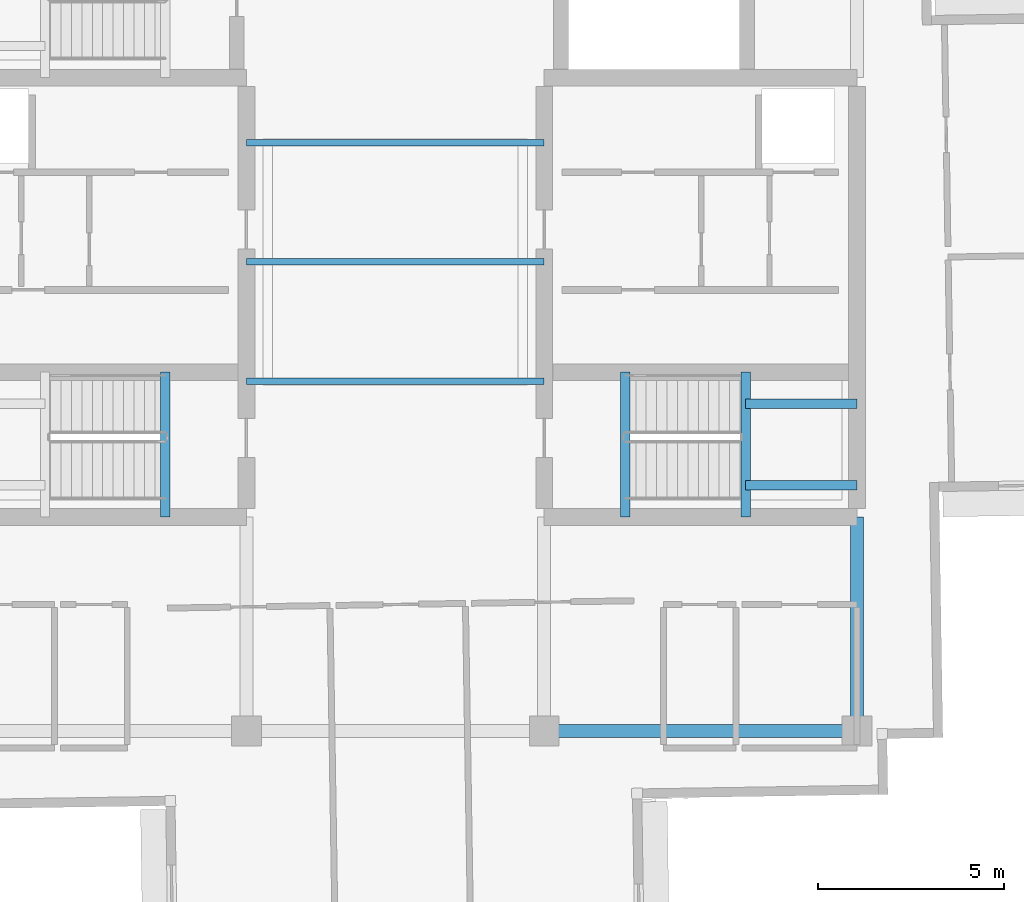
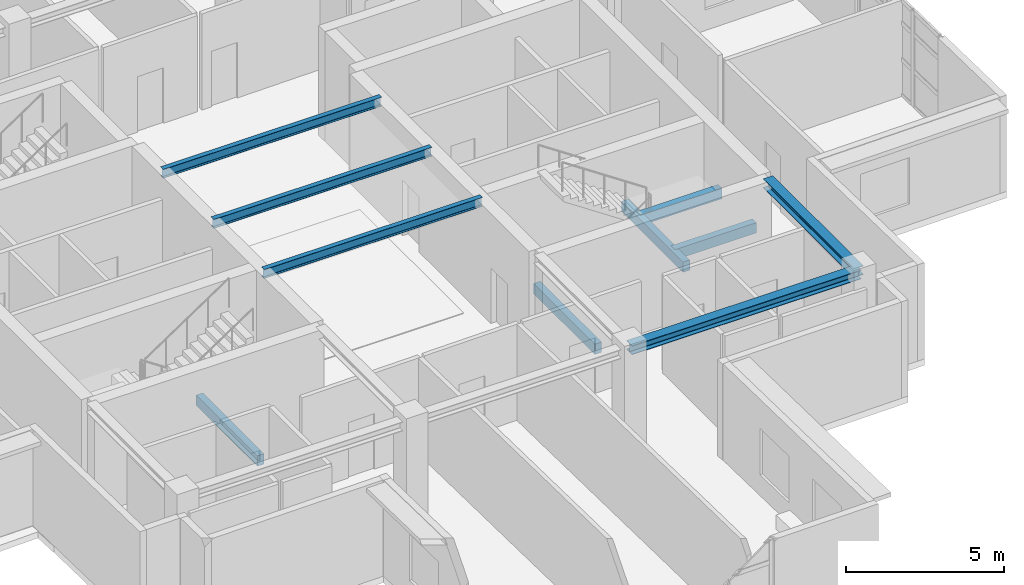
# One storey, part 5 of 18: 10 beams.
"""IFC4 building model written with IfcOpenShell, lengths in metres."""

from ifc_helpers import new_model, si_unit, direction, frame, origin, origin_2d, place, context, subcontext, project, spatial, rectangle, i_section, extrude, material, material_profile, profile_set, type_object, element, save


model = new_model("IFC4")

# Units and contexts
model_context = context("Model", 3, precision=1e-05, world=origin(), true_north=direction((0.0, 1.0)))
body_context = subcontext(model_context, "Body", "Model", "MODEL_VIEW")
ifc_project = project(units=[si_unit("LENGTHUNIT", "METRE"), si_unit("AREAUNIT", "SQUARE_METRE"), si_unit("VOLUMEUNIT", "CUBIC_METRE"), si_unit("PLANEANGLEUNIT", "RADIAN"), si_unit("MASSUNIT", "GRAM", prefix="KILO")], contexts=[model_context])

# Site, building, storey
site_placement = place(None, origin())
site = spatial("IfcSite", under=ifc_project, at=site_placement, CompositionType="ELEMENT")
building_placement = place(site_placement, origin())
building = spatial("IfcBuilding", under=site, at=building_placement, Name="Qingluan Cross Belvedere", CompositionType="ELEMENT")
storey_placement = place(building_placement, frame((0.0, 0.0, 303.89990234375)))
storey = spatial("IfcBuildingStorey", under=building, at=storey_placement, Name="L75", CompositionType="ELEMENT", Elevation=303.89990234375)

# Beams
ifc_material_1 = material(Name="Concrete C45", Category="concrete")
ifc_material_profile_1 = material_profile(ifc_material_1, rectangle(XDim=0.25, YDim=0.39990234375, at=origin_2d()), Name="RC250x400")
ifc_profile_set_1 = profile_set([ifc_material_profile_1], Name="Concrete C45")
beam_type_1 = type_object("IfcBeamType", Name="RC_Lintel_RC250x400", PredefinedType="LINTEL", material=ifc_profile_set_1)
for number, where, z_axis, x_axis, name in (
    (1, (-6.179931640625, -6.85009765625, -0.199951171875), (0.0, 1.0, 0.0), (-1.0, 0.0, 0.0), "Stair ST1 landing beam L75"),
    (2, (6.179931640625, -6.85009765625, -0.199951171875), (0.0, 1.0, 0.0), (-1.0, 0.0, 0.0), "Stair ST2 landing beam L75"),
    (3, (9.409912109375, -6.85009765625, 1.85009765625), (0.0, 1.0, 0.0), (-1.0, 0.0, 0.0), "Stair ST2 beam A L75"),
):
    element("IfcBeam", number, at=place(storey_placement, frame(where, z_axis=z_axis, x_axis=x_axis)), inside=storey, type_object=beam_type_1, Name=name, PredefinedType="LINTEL", context=body_context, shape_type="SweptSolid", body=[
        extrude(rectangle(XDim=0.25, YDim=0.39990234375, at=origin_2d()), origin(), (0.0, 0.0, 1.0), 3.89013671875),
    ])
for number, where, z_axis, x_axis, name in (
    (4, (12.39990234375, -6.0, 1.85009765625), (-1.0, 0.0, 0.0), (0.0, -1.0, 0.0), "Stair ST2 beam B L75"),
    (5, (12.39990234375, -3.81005859375, 1.85009765625), (-1.0, 0.0, 0.0), (0.0, -1.0, 0.0), "Stair ST2 beam C L75"),
):
    element("IfcBeam", number, at=place(storey_placement, frame(where, z_axis=z_axis, x_axis=x_axis)), inside=storey, type_object=beam_type_1, Name=name, PredefinedType="LINTEL", context=body_context, shape_type="SweptSolid", body=[
        extrude(rectangle(XDim=0.25, YDim=0.39990234375, at=origin_2d()), origin(), (0.0, 0.0, 1.0), 2.989990234375),
    ])
ifc_material_2 = material(Name="Steel Q420GJB", Category="steel")
ifc_material_profile_2 = material_profile(ifc_material_2, i_section(OverallWidth=0.175048828125, OverallDepth=0.35009765625, WebThickness=0.007080078125, FlangeThickness=0.010986328125, FilletRadius=0.012939453125, at=origin_2d()), Name="HN350x175x7x11")
ifc_profile_set_2 = profile_set([ifc_material_profile_2], Name="Steel Q420GJB")
beam_type_2 = type_object("IfcBeamType", Name="Steel_Beam_HN350x175x7x11", PredefinedType="JOIST", material=ifc_profile_set_2)
for number, where, z_axis, x_axis, name in (
    (6, (-4.0, -3.199951171875, 4.0751953125), (1.0, 0.0, 0.0), (0.0, 1.0, 0.0), "Hall beam L75-CH1"),
    (7, (-4.0, 0.0, 4.0751953125), (1.0, 0.0, 0.0), (0.0, 1.0, 0.0), "Hall beam L75-CH2"),
    (8, (-4.0, 3.199951171875, 4.0751953125), (1.0, 0.0, 0.0), (0.0, 1.0, 0.0), "Hall beam L75-CH3"),
):
    element("IfcBeam", number, at=place(storey_placement, frame(where, z_axis=z_axis, x_axis=x_axis)), inside=storey, type_object=beam_type_2, Name=name, PredefinedType="JOIST", context=body_context, shape_type="SweptSolid", body=[
        extrude(i_section(OverallWidth=0.175048828125, OverallDepth=0.35009765625, WebThickness=0.007080078125, FlangeThickness=0.010986328125, FilletRadius=0.012939453125, at=origin_2d()), origin(), (0.0, 0.0, 1.0), 8.0),
    ])
ifc_material_3 = material(Name="Steel Q420GJB", Category="steel")
ifc_material_profile_3 = material_profile(ifc_material_3, i_section(OverallWidth=0.35009765625, OverallDepth=0.35009765625, WebThickness=0.011962890625, FlangeThickness=0.01904296875, FilletRadius=0.02001953125, at=origin_2d()), Name="HW350x350x12x19")
ifc_profile_set_3 = profile_set([ifc_material_profile_3], Name="Steel Q420GJB")
beam_type_3 = type_object("IfcBeamType", Name="Steel_Girder_HW350x350x12x19", PredefinedType="USERDEFINED", material=ifc_profile_set_3)
beam_1_placement = place(storey_placement, frame((4.0, -12.60009765625, 4.0751953125), z_axis=(1.0, 0.0, 0.0), x_axis=(0.0, 1.0, 0.0)))
element("IfcBeam", 9, at=beam_1_placement, inside=storey, type_object=beam_type_3, Name="Hub girder L75-HG-S3", ObjectType="GIRDER", PredefinedType="USERDEFINED", context=body_context, shape_type="SweptSolid", body=[
    extrude(i_section(OverallWidth=0.35009765625, OverallDepth=0.35009765625, WebThickness=0.011962890625, FlangeThickness=0.01904296875, FilletRadius=0.02001953125, at=origin_2d()), origin(), (0.0, 0.0, 1.0), 8.39990234375),
])
beam_2_placement = place(storey_placement, frame((12.39990234375, -12.60009765625, 4.0751953125), z_axis=(0.0, 1.0, 0.0), x_axis=(-1.0, 0.0, 0.0)))
element("IfcBeam", 10, at=beam_2_placement, inside=storey, type_object=beam_type_3, Name="Hub girder L75-HG-E1", ObjectType="GIRDER", PredefinedType="USERDEFINED", context=body_context, shape_type="SweptSolid", body=[
    extrude(i_section(OverallWidth=0.35009765625, OverallDepth=0.35009765625, WebThickness=0.011962890625, FlangeThickness=0.01904296875, FilletRadius=0.02001953125, at=origin_2d()), origin(), (0.0, 0.0, 1.0), 5.75),
])

save(model, "model.ifc")
